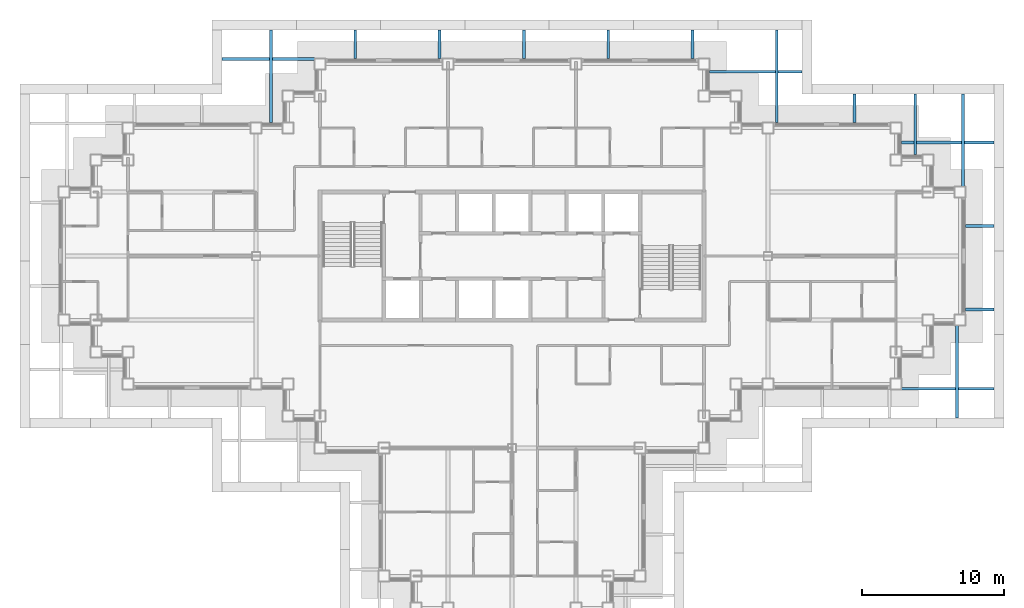
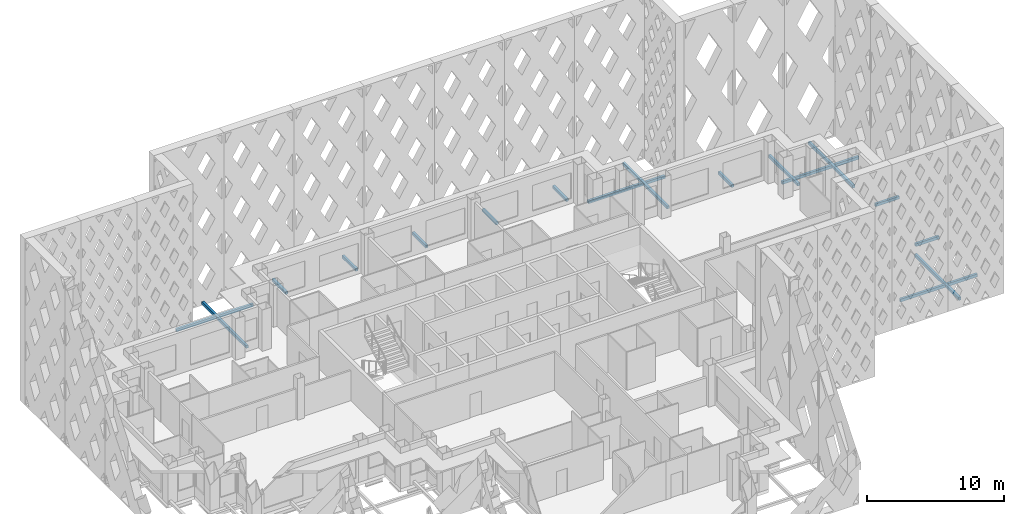
# One storey, part 10 of 19: 17 discrete accessories.
"""IFC4 building model written with IfcOpenShell, lengths in metres."""

from ifc_helpers import new_model, si_unit, direction, frame, origin, origin_2d, place, context, subcontext, project, spatial, rectangle, extrude, material, type_object, element, save


model = new_model("IFC4")

# Units and contexts
model_context = context("Model", 3, precision=1e-05, world=origin(), true_north=direction((0.0, 1.0)))
body_context = subcontext(model_context, "Body", "Model", "MODEL_VIEW")
ifc_project = project(units=[si_unit("LENGTHUNIT", "METRE"), si_unit("AREAUNIT", "SQUARE_METRE"), si_unit("VOLUMEUNIT", "CUBIC_METRE"), si_unit("PLANEANGLEUNIT", "RADIAN"), si_unit("MASSUNIT", "GRAM", prefix="KILO")], contexts=[model_context])

# Site, building, storey
site_placement = place(None, origin())
site = spatial("IfcSite", under=ifc_project, at=site_placement, CompositionType="ELEMENT")
building_placement = place(site_placement, origin())
building = spatial("IfcBuilding", under=site, at=building_placement, Name="Caravel Reach Hotel and Residences", CompositionType="ELEMENT")
storey_placement = place(building_placement, frame((0.0, 0.0, 150.60009765625)))
storey = spatial("IfcBuildingStorey", under=building, at=storey_placement, Name="L37", CompositionType="ELEMENT", Elevation=150.60009765625)

# Discrete accessories
ifc_material = material(Name="Black powder-coated aluminium", Category="aluminium")
discrete_accessory_type = type_object("IfcDiscreteAccessoryType", Name="BR1 Screen bracket", PredefinedType="BRACKET", material=ifc_material)
for number, where, z_axis, x_axis, name in (
    (1, (62.78662109375, 18.85009765625, 0.099853515625), (0.0, 0.0, 1.0), (0.0, -1.0, 0.0), "Screen bracket L37 6.3.1"),
    (2, (62.14990234375, 17.66259765625, 0.099853515625), (0.0, 0.0, 1.0), (1.0, 0.0, 0.0), "Screen bracket L37 7.1.1"),
):
    element("IfcDiscreteAccessory", number, at=place(storey_placement, frame(where, z_axis=z_axis, x_axis=x_axis)), inside=storey, type_object=discrete_accessory_type, Name=name, PredefinedType="BRACKET", context=body_context, shape_type="SweptSolid", body=[
        extrude(rectangle(XDim=6.5, YDim=0.199951171875, at=origin_2d()), origin(), (0.0, 0.0, 1.0), 0.25),
    ])
for number, where, z_axis, x_axis, name in (
    (3, (64.39990234375, 23.237548828125, 0.099853515625), (0.0, 0.0, 1.0), (1.0, 0.0, 0.0), "Screen bracket L37 7.2.1"),
    (4, (64.39990234375, 29.112548828125, 0.099853515625), (0.0, 0.0, 1.0), (1.0, 0.0, 0.0), "Screen bracket L37 7.3.1"),
):
    element("IfcDiscreteAccessory", number, at=place(storey_placement, frame(where, z_axis=z_axis, x_axis=x_axis)), inside=storey, type_object=discrete_accessory_type, Name=name, PredefinedType="BRACKET", context=body_context, shape_type="SweptSolid", body=[
        extrude(rectangle(XDim=2.0, YDim=0.199951171875, at=origin_2d()), origin(), (0.0, 0.0, 1.0), 0.25),
    ])
for number, where, z_axis, x_axis, name in (
    (5, (62.14990234375, 34.987548828125, 0.099853515625), (0.0, 0.0, 1.0), (1.0, 0.0, 0.0), "Screen bracket L37 7.4.1"),
    (6, (63.219970703125, 35.14990234375, 0.099853515625), (0.0, 0.0, 1.0), (0.0, 1.0, 0.0), "Screen bracket L37 8.1.1"),
):
    element("IfcDiscreteAccessory", number, at=place(storey_placement, frame(where, z_axis=z_axis, x_axis=x_axis)), inside=storey, type_object=discrete_accessory_type, Name=name, PredefinedType="BRACKET", context=body_context, shape_type="SweptSolid", body=[
        extrude(rectangle(XDim=6.5, YDim=0.199951171875, at=origin_2d()), origin(), (0.0, 0.0, 1.0), 0.25),
    ])
discrete_accessory_1_placement = place(storey_placement, frame((59.853271484375, 36.27490234375, 0.099853515625), z_axis=(0.0, 0.0, 1.0), x_axis=(0.0, 1.0, 0.0)))
element("IfcDiscreteAccessory", 7, at=discrete_accessory_1_placement, inside=storey, type_object=discrete_accessory_type, Name="Screen bracket L37 8.2.1", PredefinedType="BRACKET", context=body_context, shape_type="SweptSolid", body=[
    extrude(rectangle(XDim=4.25, YDim=0.199951171875, at=origin_2d()), origin(), (0.0, 0.0, 1.0), 0.25),
])
discrete_accessory_2_placement = place(storey_placement, frame((55.586669921875, 37.39990234375, 0.099853515625), z_axis=(0.0, 0.0, 1.0), x_axis=(0.0, 1.0, 0.0)))
element("IfcDiscreteAccessory", 8, at=discrete_accessory_2_placement, inside=storey, type_object=discrete_accessory_type, Name="Screen bracket L37 8.3.1", PredefinedType="BRACKET", context=body_context, shape_type="SweptSolid", body=[
    extrude(rectangle(XDim=2.0, YDim=0.199951171875, at=origin_2d()), origin(), (0.0, 0.0, 1.0), 0.25),
])
for number, where, z_axis, x_axis, name in (
    (9, (48.64990234375, 39.9599609375, 0.099853515625), (0.0, 0.0, 1.0), (1.0, 0.0, 0.0), "Screen bracket L37 9.1.1"),
    (10, (50.121337890625, 39.64990234375, 0.099853515625), (0.0, 0.0, 1.0), (0.0, 1.0, 0.0), "Screen bracket L37 10.1.1"),
):
    element("IfcDiscreteAccessory", number, at=place(storey_placement, frame(where, z_axis=z_axis, x_axis=x_axis)), inside=storey, type_object=discrete_accessory_type, Name=name, PredefinedType="BRACKET", context=body_context, shape_type="SweptSolid", body=[
        extrude(rectangle(XDim=6.5, YDim=0.199951171875, at=origin_2d()), origin(), (0.0, 0.0, 1.0), 0.25),
    ])
for number, where, z_axis, x_axis, name in (
    (11, (44.19287109375, 41.89990234375, 0.099853515625), (0.0, 0.0, 1.0), (0.0, 1.0, 0.0), "Screen bracket L37 10.2.1"),
    (12, (38.264404296875, 41.89990234375, 0.099853515625), (0.0, 0.0, 1.0), (0.0, 1.0, 0.0), "Screen bracket L37 10.3.1"),
    (13, (32.335693359375, 41.89990234375, 0.099853515625), (0.0, 0.0, 1.0), (0.0, 1.0, 0.0), "Screen bracket L37 10.4.1"),
    (14, (26.4072265625, 41.89990234375, 0.099853515625), (0.0, 0.0, 1.0), (0.0, 1.0, 0.0), "Screen bracket L37 10.5.1"),
    (15, (20.478515625, 41.89990234375, 0.099853515625), (0.0, 0.0, 1.0), (0.0, 1.0, 0.0), "Screen bracket L37 10.6.1"),
):
    element("IfcDiscreteAccessory", number, at=place(storey_placement, frame(where, z_axis=z_axis, x_axis=x_axis)), inside=storey, type_object=discrete_accessory_type, Name=name, PredefinedType="BRACKET", context=body_context, shape_type="SweptSolid", body=[
        extrude(rectangle(XDim=2.0, YDim=0.199951171875, at=origin_2d()), origin(), (0.0, 0.0, 1.0), 0.25),
    ])
for number, where, z_axis, x_axis, name in (
    (16, (14.550048828125, 39.64990234375, 0.099853515625), (0.0, 0.0, 1.0), (0.0, 1.0, 0.0), "Screen bracket L37 10.7.1"),
    (17, (14.35009765625, 40.860107421875, 0.099853515625), (0.0, 0.0, 1.0), (-1.0, 0.0, 0.0), "Screen bracket L37 11.1.1"),
):
    element("IfcDiscreteAccessory", number, at=place(storey_placement, frame(where, z_axis=z_axis, x_axis=x_axis)), inside=storey, type_object=discrete_accessory_type, Name=name, PredefinedType="BRACKET", context=body_context, shape_type="SweptSolid", body=[
        extrude(rectangle(XDim=6.5, YDim=0.199951171875, at=origin_2d()), origin(), (0.0, 0.0, 1.0), 0.25),
    ])

save(model, "model.ifc")
